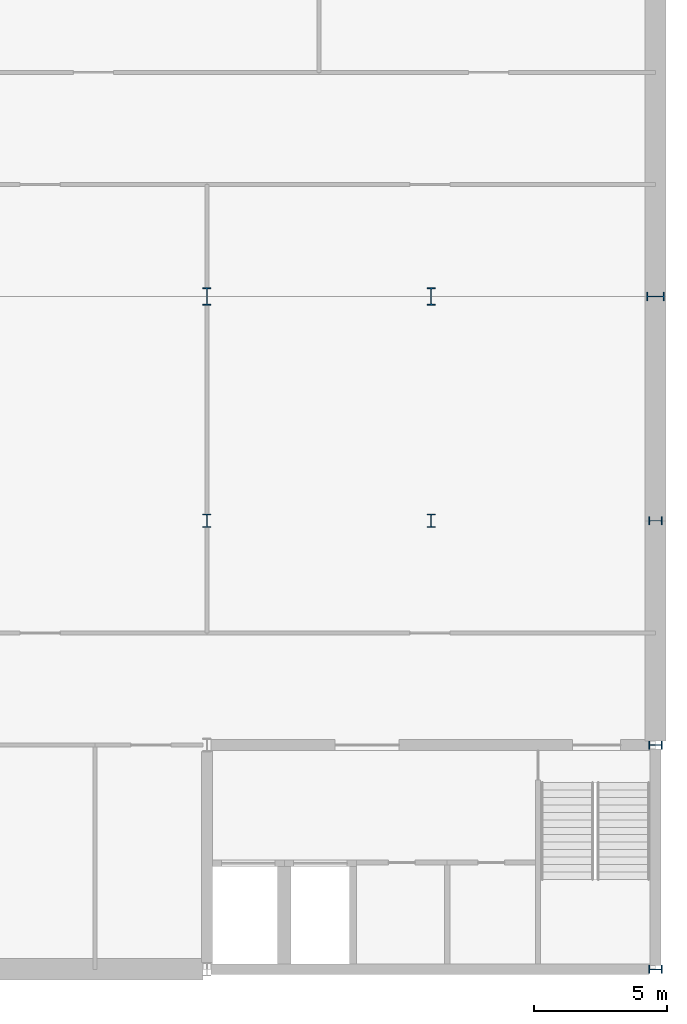
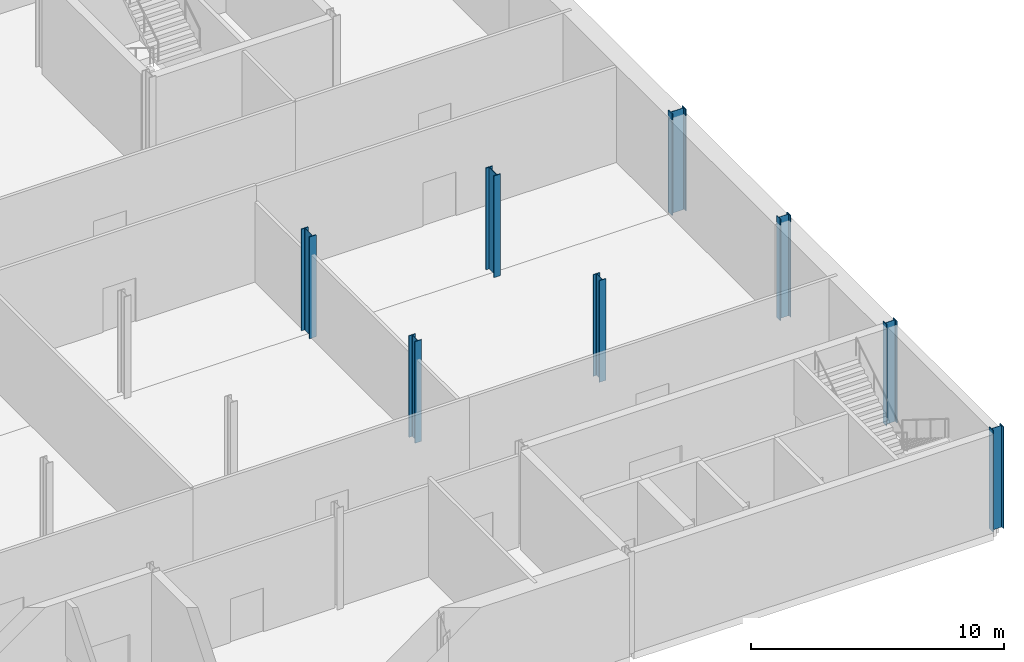
# One storey, part 6 of 20: 8 columns.
"""IFC4 building model written with IfcOpenShell, lengths in metres."""

from ifc_helpers import new_model, si_unit, direction, frame, origin, origin_2d, place, context, subcontext, project, spatial, i_section, extrude, material, material_profile, profile_set, type_object, element, save


model = new_model("IFC4")

# Units and contexts
model_context = context("Model", 3, precision=1e-05, world=origin(), true_north=direction((0.0, 1.0)))
body_context = subcontext(model_context, "Body", "Model", "MODEL_VIEW")
ifc_project = project(units=[si_unit("LENGTHUNIT", "METRE"), si_unit("AREAUNIT", "SQUARE_METRE"), si_unit("VOLUMEUNIT", "CUBIC_METRE"), si_unit("PLANEANGLEUNIT", "RADIAN"), si_unit("MASSUNIT", "GRAM", prefix="KILO")], contexts=[model_context])

# Site, building, storey
site_placement = place(None, origin())
site = spatial("IfcSite", under=ifc_project, at=site_placement, CompositionType="ELEMENT")
building_placement = place(site_placement, origin())
building = spatial("IfcBuilding", under=site, at=building_placement, Name="Galleria Vessillo Department Store", CompositionType="ELEMENT")
storey_placement = place(building_placement, frame((0.0, 0.0, -4.89990234375)))
storey = spatial("IfcBuildingStorey", under=building, at=storey_placement, Name="B1", CompositionType="ELEMENT", Elevation=-4.89990234375)

# Columns
ifc_material_1 = material(Name="Steel S355 J2", Category="steel")
ifc_material_profile_1 = material_profile(ifc_material_1, i_section(OverallWidth=0.300048828125, OverallDepth=0.5, WebThickness=0.014404296875, FlangeThickness=0.028076171875, FilletRadius=0.027099609375, at=origin_2d()), Name="HEB 500")
ifc_profile_set_1 = profile_set([ifc_material_profile_1], Name="Steel S355 J2")
column_type_1 = type_object("IfcColumnType", Name="Steel column HEB 500 CP1", PredefinedType="COLUMN", material=ifc_profile_set_1)
for number, where, z_axis, x_axis, name in (
    (1, (100.800048828125, 16.800048828125, 0.0), (0.0, 0.0, 1.0), (1.0, 0.0, 0.0), "S-COL-B1-13-C"),
    (2, (109.199951171875, 16.800048828125, 0.0), (0.0, 0.0, 1.0), (1.0, 0.0, 0.0), "S-COL-B1-14-C"),
    (3, (117.60009765625, 0.0, 0.0), (0.0, 0.0, 1.0), (0.0, 1.0, 0.0), "S-COL-B1-15-A"),
    (4, (117.60009765625, 8.39990234375, 0.0), (0.0, 0.0, 1.0), (0.0, 1.0, 0.0), "S-COL-B1-15-B"),
    (5, (117.60009765625, 16.800048828125, 0.0), (0.0, 0.0, 1.0), (0.0, 1.0, 0.0), "S-COL-B1-15-C"),
):
    element("IfcColumn", number, at=place(storey_placement, frame(where, z_axis=z_axis, x_axis=x_axis)), inside=storey, type_object=column_type_1, Name=name, PredefinedType="COLUMN", context=body_context, shape_type="SweptSolid", body=[
        extrude(i_section(OverallWidth=0.300048828125, OverallDepth=0.5, WebThickness=0.014404296875, FlangeThickness=0.028076171875, FilletRadius=0.027099609375, at=origin_2d()), origin(), (0.0, 0.0, 1.0), 4.89990234375),
    ])
ifc_material_2 = material(Name="Steel S355 J2", Category="steel")
ifc_material_profile_2 = material_profile(ifc_material_2, i_section(OverallWidth=0.304931640625, OverallDepth=0.66796875, WebThickness=0.02099609375, FlangeThickness=0.0400390625, FilletRadius=0.027099609375, at=origin_2d()), Name="HEM 650")
ifc_profile_set_2 = profile_set([ifc_material_profile_2], Name="Steel S355 J2")
column_type_2 = type_object("IfcColumnType", Name="Steel column HEM 650 CV3", PredefinedType="COLUMN", material=ifc_profile_set_2)
for number, where, z_axis, x_axis, name in (
    (6, (100.800048828125, 25.199951171875, 0.0), (0.0, 0.0, 1.0), (1.0, 0.0, 0.0), "S-COL-B1-13-D"),
    (7, (109.199951171875, 25.199951171875, 0.0), (0.0, 0.0, 1.0), (1.0, 0.0, 0.0), "S-COL-B1-14-D"),
    (8, (117.60009765625, 25.199951171875, 0.0), (0.0, 0.0, 1.0), (0.0, 1.0, 0.0), "S-COL-B1-15-D"),
):
    element("IfcColumn", number, at=place(storey_placement, frame(where, z_axis=z_axis, x_axis=x_axis)), inside=storey, type_object=column_type_2, Name=name, PredefinedType="COLUMN", context=body_context, shape_type="SweptSolid", body=[
        extrude(i_section(OverallWidth=0.304931640625, OverallDepth=0.66796875, WebThickness=0.02099609375, FlangeThickness=0.0400390625, FilletRadius=0.027099609375, at=origin_2d()), origin(), (0.0, 0.0, 1.0), 4.89990234375),
    ])

save(model, "model.ifc")
